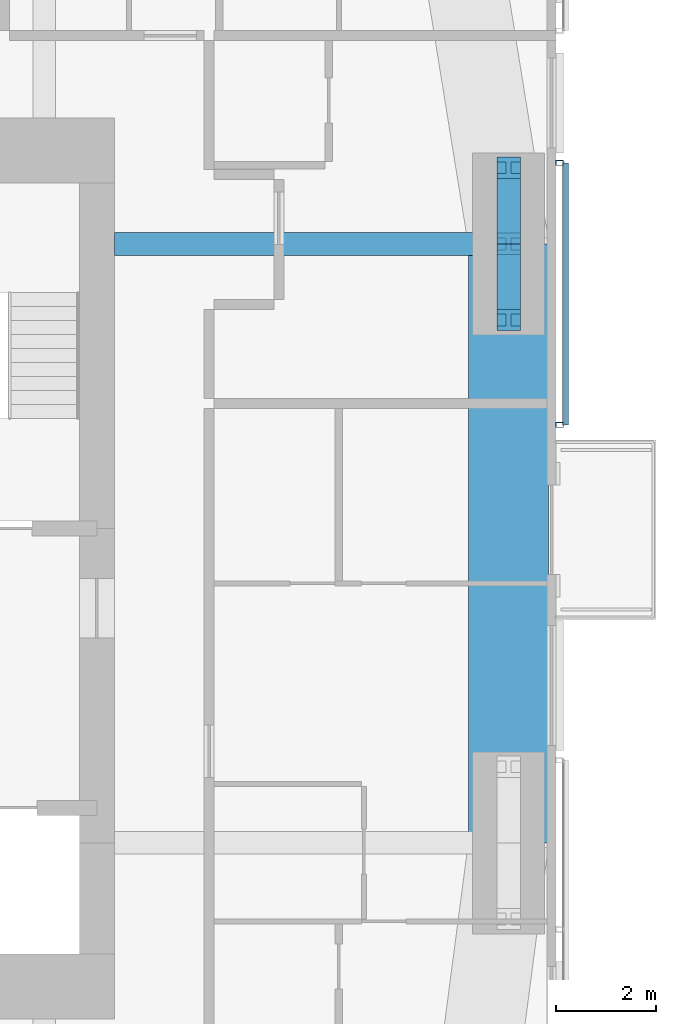
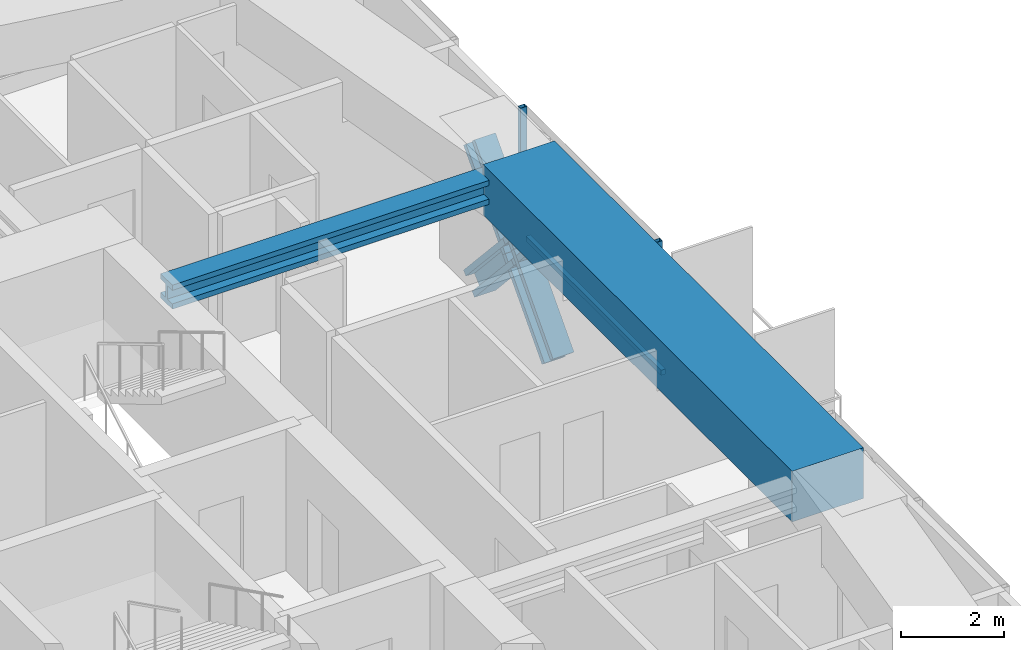
# One storey, part 9 of 23: 7 members, 2 beams, 1 element without a shape of its own.
"""IFC4 building model written with IfcOpenShell, lengths in metres."""

import ifcopenshell
import ifcopenshell.guid

model = None  # the IFC model being written
_history = None  # IfcOwnerHistory: only IFC2X3 demands one
_inside = {}  # id of a spatial element -> (the spatial element, [elements in it])
_under = {}  # id of a project, library or spatial element -> (it, [spatial elements below it])
_declared = {}  # id of a project -> (the project, [libraries it declares])
_typed = {}  # id of a type object -> (the type object, [elements of that type])
_made_of = {}  # id of a material, layer set ... -> (it, [elements and type objects made of it])


def new_model(schema):
    """Start an empty IFC model of exactly this schema.

    Asked for "IFC4X3", IfcOpenShell would pick the latest addendum, in which some entities
    have other attributes; the version numbers below select the first issue.
    IFC2X3 requires an IfcOwnerHistory on every rooted entity: one is made here for all.
    """
    global model, _history
    if schema == "IFC4X3":
        model = ifcopenshell.file(schema_version=(4, 3, 0, 0))
    else:
        model = ifcopenshell.file(schema=schema)
    _inside.clear()
    _under.clear()
    _declared.clear()
    _typed.clear()
    _made_of.clear()
    _history = None
    if model.schema == "IFC2X3":
        org = make("IfcOrganization", Name="unknown")
        user = make(
            "IfcPersonAndOrganization",
            ThePerson=make("IfcPerson", FamilyName="unknown"),
            TheOrganization=org,
        )
        app = make(
            "IfcApplication",
            ApplicationDeveloper=org,
            Version="unknown",
            ApplicationFullName="unknown",
            ApplicationIdentifier="unknown",
        )
        _history = make(
            "IfcOwnerHistory",
            OwningUser=user,
            OwningApplication=app,
            ChangeAction="ADDED",
            CreationDate=0,
        )
    return model


def make(cls, **values):
    """One entity of the class cls with the attributes given. An attribute that is None is left unset."""
    return model.create_entity(
        cls, **{name: value for name, value in values.items() if value is not None}
    )


def rooted(cls, **values):
    """An entity with a GlobalId (a new one), such as an element, a storey or a relation."""
    return make(cls, GlobalId=ifcopenshell.guid.new(), OwnerHistory=_history, **values)


def si_unit(unit_type, name, prefix=None):
    """IfcSIUnit, for example si_unit("LENGTHUNIT", "METRE", prefix="MILLI")."""
    return make("IfcSIUnit", UnitType=unit_type, Prefix=prefix, Name=name)


def assignment(units):
    """IfcUnitAssignment: the units of a project."""
    return None if units is None else make("IfcUnitAssignment", Units=units)


def point(xyz):
    """IfcCartesianPoint."""
    return None if xyz is None else make("IfcCartesianPoint", Coordinates=xyz)


def direction(xyz):
    """IfcDirection."""
    return None if xyz is None else make("IfcDirection", DirectionRatios=xyz)


def frame(location, z_axis=None, x_axis=None):
    """IfcAxis2Placement3D, a coordinate frame: its origin and axes. An axis left out is left unset."""
    return make(
        "IfcAxis2Placement3D",
        Location=point(location),
        Axis=direction(z_axis),
        RefDirection=direction(x_axis),
    )


def frame_2d(location, x_axis=None):
    """IfcAxis2Placement2D, a coordinate frame in the plane: its origin and x axis."""
    return make(
        "IfcAxis2Placement2D", Location=point(location), RefDirection=direction(x_axis)
    )


def origin():
    """The frame at (0, 0, 0) with its axes left unset."""
    return frame((0.0, 0.0, 0.0))


def origin_2d():
    """The frame at (0, 0) in the plane with its x axis left unset."""
    return frame_2d((0.0, 0.0))


def place(relative_to, where):
    """IfcLocalPlacement: puts the frame where relative to a parent placement (None: the world)."""
    return make(
        "IfcLocalPlacement", PlacementRelTo=relative_to, RelativePlacement=where
    )


def context(
    kind, dimensions, precision=None, world=None, true_north=None, identifier=None
):
    """IfcGeometricRepresentationContext, for example the 3D "Model" context."""
    return make(
        "IfcGeometricRepresentationContext",
        ContextIdentifier=identifier,
        ContextType=kind,
        CoordinateSpaceDimension=dimensions,
        Precision=precision,
        WorldCoordinateSystem=world,
        TrueNorth=true_north,
    )


def subcontext(parent, identifier, kind, view, scale=None):
    """IfcGeometricRepresentationSubContext, for example "Body" below "Model"."""
    return make(
        "IfcGeometricRepresentationSubContext",
        ContextIdentifier=identifier,
        ContextType=kind,
        ParentContext=parent,
        TargetScale=scale,
        TargetView=view,
    )


def project(units=None, contexts=None):
    """IfcProject with its units and contexts."""
    return rooted(
        "IfcProject",
        Name="project",
        RepresentationContexts=contexts,
        UnitsInContext=assignment(units),
    )


def spatial(cls, under=None, at=None, **own):
    """A site, building, storey or space (cls), placed at a placement, below another one or the project."""
    s = rooted(cls, ObjectPlacement=at, **own)
    if under is not None:
        _under.setdefault(under.id(), (under, []))[1].append(s)
    return s


def profile(cls, at=None, kind="AREA", **sizes):
    """A parametric profile (cls). Its sizes go by their IFC names, for example OverallWidth=200.0."""
    return make(cls, ProfileType=kind, Position=at, **sizes)


def rectangle(**sizes):
    """IfcRectangleProfileDef."""
    return profile("IfcRectangleProfileDef", **sizes)


def hollow_rectangle(**sizes):
    """IfcRectangleHollowProfileDef."""
    return profile("IfcRectangleHollowProfileDef", **sizes)


def i_section(**sizes):
    """IfcIShapeProfileDef."""
    return profile("IfcIShapeProfileDef", **sizes)


def extrude(swept, where, along, depth):
    """IfcExtrudedAreaSolid: the profile swept, set in the frame where, extruded along a direction by depth."""
    return make(
        "IfcExtrudedAreaSolid",
        SweptArea=swept,
        Position=where,
        ExtrudedDirection=direction(along),
        Depth=depth,
    )


def shape(context_of_items, identifier, shape_type, items):
    """IfcShapeRepresentation: the items that make up one representation, for example the "Body"."""
    return make(
        "IfcShapeRepresentation",
        ContextOfItems=context_of_items,
        RepresentationIdentifier=identifier,
        RepresentationType=shape_type,
        Items=items,
    )


def material(Name=None, Category=None):
    """IfcMaterial."""
    return make("IfcMaterial", Name=Name, Category=Category)


def material_profile(
    of_material, cross_section, Name=None, Category=None, Priority=None
):
    """IfcMaterialProfile: a cross section and its material."""
    return make(
        "IfcMaterialProfile",
        Name=Name,
        Material=of_material,
        Profile=cross_section,
        Priority=Priority,
        Category=Category,
    )


def profile_set(profiles, Name=None, composite=None):
    """IfcMaterialProfileSet."""
    return make(
        "IfcMaterialProfileSet",
        Name=Name,
        MaterialProfiles=profiles,
        CompositeProfile=composite,
    )


def made_of(thing, what):
    """Note that an element or type object is made of a material, layer set ...; save() writes the relation."""
    if what is not None:
        _made_of.setdefault(what.id(), (what, []))[1].append(thing)
    return thing


def type_object(cls, material=None, **own):
    """A type object (cls), such as IfcWallType, which elements share."""
    return made_of(rooted(cls, **own), material)


def element(
    cls,
    number,
    at=None,
    inside=None,
    cuts=None,
    type_object=None,
    material=None,
    context=None,
    identifier="Body",
    shape_type=None,
    held_by="IfcProductDefinitionShape",
    body=None,
    shapes=None,
    **own,
):
    """One element of the class cls, such as IfcWall. Its Tag is "e" and its number.

    at: its placement. inside: the storey or other place that contains it. cuts: it is an
    opening in that element (IfcRelVoidsElement). A single representation is given by context,
    identifier, shape_type and body (its items); several are given by shapes. held_by: the class
    of the entity that holds the representations. save() writes the other relations.
    """
    e = rooted(cls, Tag="e%d" % number, ObjectPlacement=at, **own)
    if body is not None:
        shapes = [shape(context, identifier, shape_type, body)]
    if shapes is not None:
        e.Representation = make(held_by, Representations=shapes)
    if inside is not None:
        _inside.setdefault(inside.id(), (inside, []))[1].append(e)
    if cuts is not None:
        rooted(
            "IfcRelVoidsElement", RelatingBuildingElement=cuts, RelatedOpeningElement=e
        )
    if type_object is not None:
        _typed.setdefault(type_object.id(), (type_object, []))[1].append(e)
    return made_of(e, material)


def aggregate(whole, parts):
    """IfcRelAggregates: a whole, such as a stair, and the parts it consists of."""
    return rooted("IfcRelAggregates", RelatingObject=whole, RelatedObjects=parts)


def save(model, path):
    """Write the relations noted so far, then the file.

    IfcRelAggregates (storeys below a building ...), IfcRelContainedInSpatialStructure (elements
    in a storey), IfcRelDefinesByType, IfcRelAssociatesMaterial and IfcRelDeclares: one each for
    every whole, place, type object, material and project.
    """
    for whole, parts in _under.values():
        aggregate(whole, parts)
    for where, things in _inside.values():
        rooted(
            "IfcRelContainedInSpatialStructure",
            RelatedElements=things,
            RelatingStructure=where,
        )
    for kind, things in _typed.values():
        rooted("IfcRelDefinesByType", RelatedObjects=things, RelatingType=kind)
    for what, things in _made_of.values():
        rooted("IfcRelAssociatesMaterial", RelatedObjects=things, RelatingMaterial=what)
    for by, libraries in _declared.values():
        rooted("IfcRelDeclares", RelatingContext=by, RelatedDefinitions=libraries)
    model.write(path)


model = new_model("IFC4")

# Units and contexts
model_context = context("Model", 3, precision=1e-05, world=origin(), true_north=direction((0.0, 1.0)))
body_context = subcontext(model_context, "Body", "Model", "MODEL_VIEW")
ifc_project = project(units=[si_unit("LENGTHUNIT", "METRE"), si_unit("AREAUNIT", "SQUARE_METRE"), si_unit("VOLUMEUNIT", "CUBIC_METRE"), si_unit("PLANEANGLEUNIT", "RADIAN"), si_unit("MASSUNIT", "GRAM", prefix="KILO")], contexts=[model_context])

# Site, building, storey
site_placement = place(None, origin())
site = spatial("IfcSite", under=ifc_project, at=site_placement, CompositionType="ELEMENT")
building_placement = place(site_placement, origin())
building = spatial("IfcBuilding", under=site, at=building_placement, Name="Jalousie Tower", CompositionType="ELEMENT")
storey_placement = place(building_placement, frame((0.0, 0.0, 184.5)))
storey = spatial("IfcBuildingStorey", under=building, at=storey_placement, Name="L50", CompositionType="ELEMENT", Elevation=184.5)

# Beam
ifc_material_1 = material(Name="Steel ASTM A992 Grade 50", Category="steel")
ifc_material_profile_1 = material_profile(ifc_material_1, i_section(OverallWidth=0.45458984375, OverallDepth=0.569091796875, WebThickness=0.077880859375, FlangeThickness=0.124755859375, at=origin_2d()), Name="W14X730")
ifc_profile_set_1 = profile_set([ifc_material_profile_1], Name="Steel ASTM A992 Grade 50")
beam_type_1 = type_object("IfcBeamType", Name="LEAN COLLECTOR W14X730", PredefinedType="BEAM", material=ifc_profile_set_1)
beam_1_placement = place(storey_placement, frame((52.050048828125, 25.0, 2.825439453125), z_axis=(-1.0, 0.0, 0.0), x_axis=(0.0, -1.0, 0.0)))
element("IfcBeam", 1, at=beam_1_placement, inside=storey, type_object=beam_type_1, Name="Lean collector under L51", PredefinedType="BEAM", context=body_context, shape_type="SweptSolid", body=[
    extrude(i_section(OverallWidth=0.45458984375, OverallDepth=0.569091796875, WebThickness=0.077880859375, FlangeThickness=0.124755859375, at=origin_2d()), origin(), (0.0, 0.0, 1.0), 7.900146484375),
])

# Members
ifc_material_2 = material(Name="Steel ASTM A992 Grade 50", Category="steel")
ifc_material_profile_2 = material_profile(ifc_material_2, i_section(OverallWidth=0.472412109375, OverallDepth=0.5791015625, WebThickness=0.094970703125, FlangeThickness=0.1298828125, at=origin_2d()), Name="W14X808")
ifc_profile_set_2 = profile_set([ifc_material_profile_2], Name="Steel ASTM A992 Grade 50")
member_type_1 = type_object("IfcMemberType", Name="PERIMETER BRACE W14X808", PredefinedType="BRACE", material=ifc_profile_set_2)
for number, where, z_axis, x_axis, name in (
    (2, (52.050048828125, 23.47509765625, -0.60009765625), (0.0, 0.673187629365, 0.739471713908), (-1.0, 0.0, 0.0), "Perimeter brace 07 L50 part 1"),
    (3, (52.050048828125, 25.0, 1.074951171875), (0.0, 0.673187629365, 0.739471713908), (-1.0, 0.0, 0.0), "Perimeter brace 07 L50 part 2"),
    (4, (52.050048828125, 26.52490234375, -0.60009765625), (0.0, -0.673187629365, 0.739471713908), (1.0, 0.0, 0.0), "Perimeter brace 07 L50 part 3"),
    (5, (52.050048828125, 25.0, 1.074951171875), (0.0, -0.673187629365, 0.739471713908), (1.0, 0.0, 0.0), "Perimeter brace 07 L50 part 4"),
):
    element("IfcMember", number, at=place(storey_placement, frame(where, z_axis=z_axis, x_axis=x_axis)), inside=storey, type_object=member_type_1, Name=name, PredefinedType="BRACE", context=body_context, shape_type="SweptSolid", body=[
        extrude(i_section(OverallWidth=0.472412109375, OverallDepth=0.5791015625, WebThickness=0.094970703125, FlangeThickness=0.1298828125, at=origin_2d()), origin(), (0.0, 0.0, 1.0), 2.26513671875),
    ])

# Beam
ifc_material_3 = material(Name="Concrete f'c 40 MPa", Category="concrete")
ifc_material_profile_3 = material_profile(ifc_material_3, rectangle(XDim=1.60009765625, YDim=1.199951171875, at=origin_2d()), Name="RC 1600x1200")
ifc_profile_set_3 = profile_set([ifc_material_profile_3], Name="Concrete f'c 40 MPa")
beam_type_2 = type_object("IfcBeamType", Name="RC BEAM 1600x1200", PredefinedType="BEAM", material=ifc_profile_set_3)
beam_2_placement = place(storey_placement, frame((52.050048828125, 13.0, 2.75), z_axis=(0.0, 1.0, 0.0), x_axis=(-1.0, 0.0, 0.0)))
element("IfcBeam", 6, at=beam_2_placement, inside=storey, type_object=beam_type_2, Name="Edge band beam 06-07 under L51", PredefinedType="BEAM", context=body_context, shape_type="SweptSolid", body=[
    extrude(rectangle(XDim=1.60009765625, YDim=1.199951171875, at=origin_2d()), origin(), (0.0, 0.0, 1.0), 12.0),
])

# Curtain wall, members
ifc_material_4 = material(Name="Perforated aluminium sheet", Category="aluminium")
curtain_wall_type = type_object("IfcCurtainWallType", Name="SOLAR SCREEN SS-1", PredefinedType="USERDEFINED", material=ifc_material_4)
curtain_wall_placement = place(storey_placement, origin())
curtain_wall = element("IfcCurtainWall", 7, at=curtain_wall_placement, inside=storey, type_object=curtain_wall_type, Name="Solar screen L50", ObjectType="SOLAR SCREEN SS-1", PredefinedType="USERDEFINED")
ifc_material_5 = material(Name="Steel ASTM A500 Grade C", Category="steel")
ifc_material_profile_4 = material_profile(ifc_material_5, hollow_rectangle(XDim=0.1015625, YDim=0.15234375, WallThickness=0.00634765625, at=origin_2d()), Name="HSS6X4X1/4")
ifc_profile_set_4 = profile_set([ifc_material_profile_4], Name="Steel ASTM A500 Grade C")
member_type_2 = type_object("IfcMemberType", Name="SOLAR SCREEN SS-1 MULLION", PredefinedType="MULLION", material=ifc_profile_set_4)
member_1_placement = place(storey_placement, frame((53.0712890625, 21.375, -0.1201171875), z_axis=(0.0, 0.0, 1.0), x_axis=(0.0, 1.0, 0.0)))
member_1 = element("IfcMember", 8, at=member_1_placement, type_object=member_type_2, Name="SS1 post 1", PredefinedType="MULLION", context=body_context, shape_type="SweptSolid", body=[
    extrude(hollow_rectangle(XDim=0.1015625, YDim=0.15234375, WallThickness=0.00634765625, at=origin_2d()), origin(), (0.0, 0.0, 1.0), 3.230224609375),
])
member_2_placement = place(storey_placement, frame((53.0712890625, 26.625, -0.1201171875), z_axis=(0.0, 0.0, 1.0), x_axis=(0.0, 1.0, 0.0)))
member_2 = element("IfcMember", 9, at=member_2_placement, type_object=member_type_2, Name="SS1 post 2", PredefinedType="MULLION", context=body_context, shape_type="SweptSolid", body=[
    extrude(hollow_rectangle(XDim=0.1015625, YDim=0.15234375, WallThickness=0.00634765625, at=origin_2d()), origin(), (0.0, 0.0, 1.0), 3.230224609375),
])
ifc_material_6 = material(Name="Extruded aluminium screen rail", Category="aluminium")
ifc_material_profile_5 = material_profile(ifc_material_6, rectangle(XDim=0.1015625, YDim=0.1201171875, at=origin_2d()), Name="RAIL 102x120")
ifc_profile_set_5 = profile_set([ifc_material_profile_5], Name="Extruded aluminium screen rail")
member_type_3 = type_object("IfcMemberType", Name="SOLAR SCREEN SS-1 TRANSOM", PredefinedType="USERDEFINED", material=ifc_profile_set_5)
member_3_placement = place(storey_placement, frame((53.1982421875, 21.375, -0.06005859375), z_axis=(0.0, 1.0, 0.0), x_axis=(-1.0, 0.0, 0.0)))
member_3 = element("IfcMember", 10, at=member_3_placement, type_object=member_type_3, Name="SS1 rail", ObjectType="TRANSOM", PredefinedType="USERDEFINED", context=body_context, shape_type="SweptSolid", body=[
    extrude(rectangle(XDim=0.1015625, YDim=0.1201171875, at=origin_2d()), origin(), (0.0, 0.0, 1.0), 5.25),
])
aggregate(curtain_wall, [member_1, member_2, member_3])

save(model, "model.ifc")
